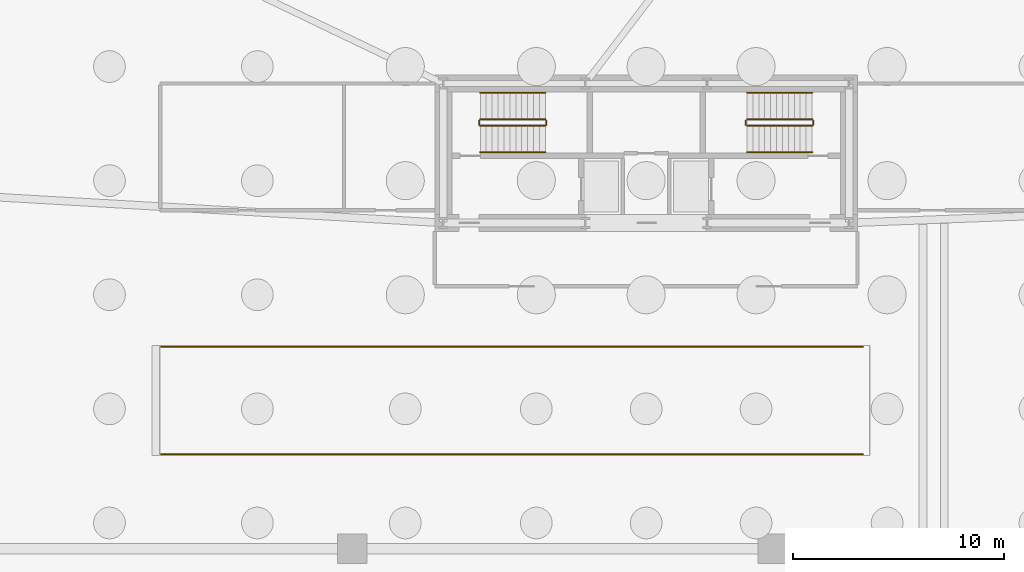
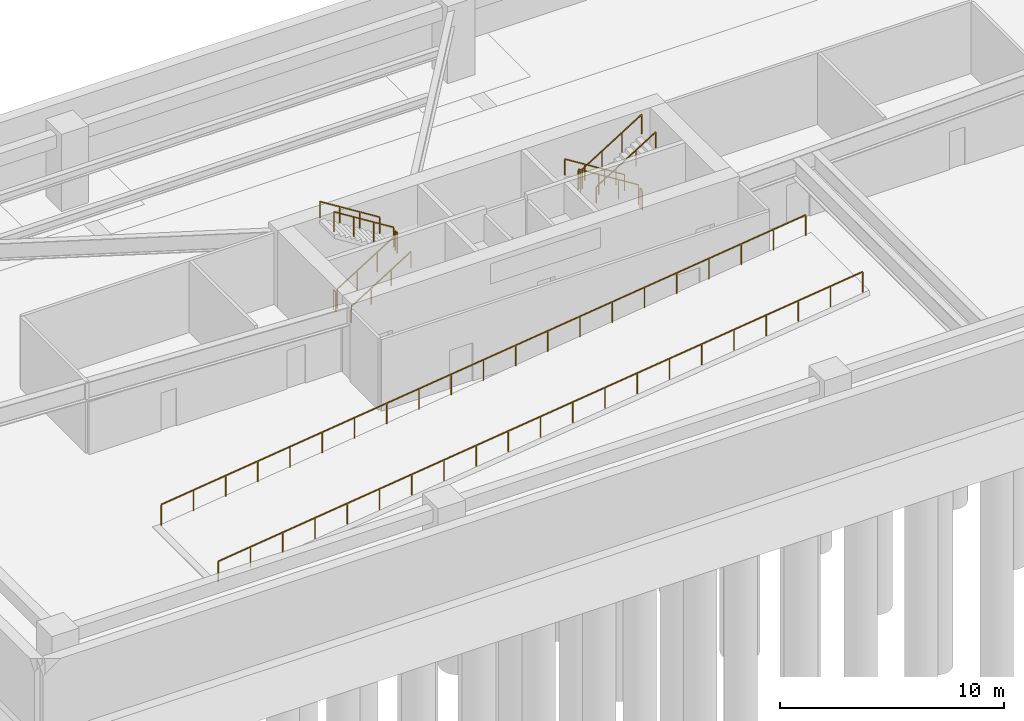
# One storey, part 7 of 8: 14 railings.
"""IFC4 building model written with IfcOpenShell, lengths in metres."""

from ifc_helpers import new_model, si_unit, direction, frame, origin, origin_2d, place, context, subcontext, project, spatial, rectangle, extrude, source, transform, mapped, material, type_object, type_shapes, element, save


model = new_model("IFC4")

# Units and contexts
model_context = context("Model", 3, precision=1e-05, world=origin(), true_north=direction((0.0, 1.0)))
body_context = subcontext(model_context, "Body", "Model", "MODEL_VIEW")
ifc_project = project(units=[si_unit("LENGTHUNIT", "METRE"), si_unit("AREAUNIT", "SQUARE_METRE"), si_unit("VOLUMEUNIT", "CUBIC_METRE"), si_unit("PLANEANGLEUNIT", "RADIAN"), si_unit("MASSUNIT", "GRAM", prefix="KILO")], contexts=[model_context])

# Site, building, storey
site_placement = place(None, origin())
site = spatial("IfcSite", under=ifc_project, at=site_placement, CompositionType="ELEMENT")
building_placement = place(site_placement, origin())
building = spatial("IfcBuilding", under=site, at=building_placement, Name="Astriad Promenade Condominiums", CompositionType="ELEMENT")
storey_placement = place(building_placement, frame((0.0, 0.0, -8.39990234375)))
storey = spatial("IfcBuildingStorey", under=building, at=storey_placement, Name="B02", CompositionType="ELEMENT", Elevation=-8.39990234375)

# Railings
ifc_material_1 = material(Name="Anodised Aluminium and Glass Terrace Guardrail", Category="aluminium")
railing_type_1 = type_object("IfcRailingType", Name="GRD-TERR-1150", PredefinedType="GUARDRAIL", material=ifc_material_1)
shared_shape_1 = source(origin(), body_context, "Body", "SweptSolid", [
    extrude(rectangle(XDim=0.048095703125, YDim=0.048095703125, at=origin_2d()), frame((0.0, 0.0, 1.1259765625), z_axis=(0.992278325478, 0.0, 0.124031144426), x_axis=(0.0, 1.0, 0.0)), (0.0, 0.0, 1.0), 8.36962890625),
    extrude(rectangle(XDim=0.048095703125, YDim=0.048095703125, at=origin_2d()), frame((8.304931640625, 0.0, 2.1640625), z_axis=(0.992278325478, 0.0, 0.124031144426), x_axis=(0.0, 1.0, 0.0)), (0.0, 0.0, 1.0), 8.36962890625),
    extrude(rectangle(XDim=0.048095703125, YDim=0.048095703125, at=origin_2d()), frame((16.60986328125, 0.0, 3.2021484375), z_axis=(0.992275183946, 0.0, 0.124056274835), x_axis=(0.0, 1.0, 0.0)), (0.0, 0.0, 1.0), 8.369873046875),
    extrude(rectangle(XDim=0.048095703125, YDim=0.048095703125, at=origin_2d()), frame((24.9150390625, 0.0, 4.240234375), z_axis=(0.992278325478, 0.0, 0.124031144426), x_axis=(0.0, 1.0, 0.0)), (0.0, 0.0, 1.0), 8.36962890625),
    extrude(rectangle(XDim=0.0419921875, YDim=0.0419921875, at=origin_2d()), origin(), (0.0, 0.0, 1.0), 1.101806640625),
    extrude(rectangle(XDim=0.0419921875, YDim=0.0419921875, at=origin_2d()), frame((1.660888671875, 0.0, 0.20751953125)), (0.0, 0.0, 1.0), 1.101806640625),
    extrude(rectangle(XDim=0.0419921875, YDim=0.0419921875, at=origin_2d()), frame((3.322021484375, 0.0, 0.415283203125)), (0.0, 0.0, 1.0), 1.101806640625),
    extrude(rectangle(XDim=0.0419921875, YDim=0.0419921875, at=origin_2d()), frame((4.98291015625, 0.0, 0.622802734375)), (0.0, 0.0, 1.0), 1.101806640625),
    extrude(rectangle(XDim=0.0419921875, YDim=0.0419921875, at=origin_2d()), frame((6.64404296875, 0.0, 0.83056640625)), (0.0, 0.0, 1.0), 1.101806640625),
    extrude(rectangle(XDim=0.0419921875, YDim=0.0419921875, at=origin_2d()), frame((8.304931640625, 0.0, 1.0380859375)), (0.0, 0.0, 1.0), 1.101806640625),
    extrude(rectangle(XDim=0.0419921875, YDim=0.0419921875, at=origin_2d()), frame((9.9658203125, 0.0, 1.24560546875)), (0.0, 0.0, 1.0), 1.101806640625),
    extrude(rectangle(XDim=0.0419921875, YDim=0.0419921875, at=origin_2d()), frame((11.626953125, 0.0, 1.453369140625)), (0.0, 0.0, 1.0), 1.101806640625),
    extrude(rectangle(XDim=0.0419921875, YDim=0.0419921875, at=origin_2d()), frame((13.287841796875, 0.0, 1.660888671875)), (0.0, 0.0, 1.0), 1.101806640625),
    extrude(rectangle(XDim=0.0419921875, YDim=0.0419921875, at=origin_2d()), frame((14.948974609375, 0.0, 1.86865234375)), (0.0, 0.0, 1.0), 1.101806640625),
    extrude(rectangle(XDim=0.0419921875, YDim=0.0419921875, at=origin_2d()), frame((16.60986328125, 0.0, 2.076171875)), (0.0, 0.0, 1.0), 1.101806640625),
    extrude(rectangle(XDim=0.0419921875, YDim=0.0419921875, at=origin_2d()), frame((18.27099609375, 0.0, 2.283935546875)), (0.0, 0.0, 1.0), 1.101806640625),
    extrude(rectangle(XDim=0.0419921875, YDim=0.0419921875, at=origin_2d()), frame((19.931884765625, 0.0, 2.491455078125)), (0.0, 0.0, 1.0), 1.101806640625),
    extrude(rectangle(XDim=0.0419921875, YDim=0.0419921875, at=origin_2d()), frame((21.593017578125, 0.0, 2.69921875)), (0.0, 0.0, 1.0), 1.101806640625),
    extrude(rectangle(XDim=0.0419921875, YDim=0.0419921875, at=origin_2d()), frame((23.25390625, 0.0, 2.90673828125)), (0.0, 0.0, 1.0), 1.101806640625),
    extrude(rectangle(XDim=0.0419921875, YDim=0.0419921875, at=origin_2d()), frame((24.9150390625, 0.0, 3.114501953125)), (0.0, 0.0, 1.0), 1.101806640625),
    extrude(rectangle(XDim=0.0419921875, YDim=0.0419921875, at=origin_2d()), frame((26.575927734375, 0.0, 3.322021484375)), (0.0, 0.0, 1.0), 1.101806640625),
    extrude(rectangle(XDim=0.0419921875, YDim=0.0419921875, at=origin_2d()), frame((28.237060546875, 0.0, 3.52978515625)), (0.0, 0.0, 1.0), 1.101806640625),
    extrude(rectangle(XDim=0.0419921875, YDim=0.0419921875, at=origin_2d()), frame((29.89794921875, 0.0, 3.7373046875)), (0.0, 0.0, 1.0), 1.101806640625),
    extrude(rectangle(XDim=0.0419921875, YDim=0.0419921875, at=origin_2d()), frame((31.55908203125, 0.0, 3.945068359375)), (0.0, 0.0, 1.0), 1.101806640625),
    extrude(rectangle(XDim=0.0419921875, YDim=0.0419921875, at=origin_2d()), frame((33.219970703125, 0.0, 4.152587890625)), (0.0, 0.0, 1.0), 1.101806640625),
])
type_shapes(railing_type_1, [shared_shape_1])
for number, where, name in (
    (1, (13.0400390625, 6.449951171875, 0.0048828125), "GRD-VR-1-S"),
    (2, (13.0400390625, 11.550048828125, 0.0048828125), "GRD-VR-1-N"),
):
    element("IfcRailing", number, at=place(storey_placement, frame(where)), inside=storey, type_object=railing_type_1, Name=name, PredefinedType="GUARDRAIL", context=body_context, shape_type="MappedRepresentation", body=[
        mapped(shared_shape_1, transform((0.0, 0.0, 0.0), scale=1.0)),
    ])
ifc_material_2 = material(Name="Painted Galvanised Steel Guardrail", Category="steel")
railing_type_2 = type_object("IfcRailingType", Name="GRD-STAIR-1100", PredefinedType="GUARDRAIL", material=ifc_material_2)
shared_shape_2 = source(origin(), body_context, "Body", "SweptSolid", [
    extrude(rectangle(XDim=0.048095703125, YDim=0.048095703125, at=origin_2d()), frame((0.0, 0.0, 1.076171875), z_axis=(0.847998304005, 0.0, 0.529998940003), x_axis=(0.0, 1.0, 0.0)), (0.0, 0.0, 1.0), 3.632080078125),
    extrude(rectangle(XDim=0.0419921875, YDim=0.0419921875, at=origin_2d()), origin(), (0.0, 0.0, 1.0), 1.052001953125),
    extrude(rectangle(XDim=0.0419921875, YDim=0.0419921875, at=origin_2d()), frame((1.026611328125, 0.0, 0.6416015625)), (0.0, 0.0, 1.0), 1.052001953125),
    extrude(rectangle(XDim=0.0419921875, YDim=0.0419921875, at=origin_2d()), frame((2.053466796875, 0.0, 1.283447265625)), (0.0, 0.0, 1.0), 1.052001953125),
    extrude(rectangle(XDim=0.0419921875, YDim=0.0419921875, at=origin_2d()), frame((3.080078125, 0.0, 1.925048828125)), (0.0, 0.0, 1.0), 1.052001953125),
])
for number, where, name in (
    (3, (28.14990234375, 22.0, 0.1748046875), "B02 ST-1 stair guard 1"),
    (4, (40.77001953125, 22.0, 2.27490234375), "B02 ST-2 stair guard 3"),
):
    element("IfcRailing", number, at=place(storey_placement, frame(where)), inside=storey, type_object=railing_type_2, Name=name, PredefinedType="GUARDRAIL", context=body_context, shape_type="MappedRepresentation", body=[
        mapped(shared_shape_2, transform((0.0, 0.0, 0.0), scale=1.0)),
    ])
shared_shape_3 = source(origin(), body_context, "Body", "SweptSolid", [
    extrude(rectangle(XDim=0.048095703125, YDim=0.048095703125, at=origin_2d()), frame((0.0, 0.0, 1.076171875), z_axis=(0.0, 1.0, 0.0), x_axis=(-1.0, 0.0, 0.0)), (0.0, 0.0, 1.0), 0.199951171875),
    extrude(rectangle(XDim=0.0419921875, YDim=0.0419921875, at=origin_2d()), origin(), (0.0, 0.0, 1.0), 1.052001953125),
    extrude(rectangle(XDim=0.0419921875, YDim=0.0419921875, at=origin_2d()), frame((0.0, 0.199951171875, 0.0)), (0.0, 0.0, 1.0), 1.052001953125),
])
for number, where, name in (
    (5, (31.280029296875, 22.050048828125, 2.099853515625), "B02 ST-1 stair guard 2"),
    (6, (28.10009765625, 22.050048828125, 0.0), "B02 ST-1 stair guard 4"),
):
    element("IfcRailing", number, at=place(storey_placement, frame(where)), inside=storey, type_object=railing_type_2, Name=name, PredefinedType="GUARDRAIL", context=body_context, shape_type="MappedRepresentation", body=[
        mapped(shared_shape_3, transform((0.0, 0.0, 0.0), scale=1.0)),
    ])
shared_shape_4 = source(origin(), body_context, "Body", "SweptSolid", [
    extrude(rectangle(XDim=0.048095703125, YDim=0.048095703125, at=origin_2d()), frame((0.0, 0.0, 1.076171875), z_axis=(-0.847998304005, 0.0, 0.529998940003), x_axis=(0.0, -1.0, 0.0)), (0.0, 0.0, 1.0), 3.632080078125),
    extrude(rectangle(XDim=0.0419921875, YDim=0.0419921875, at=origin_2d()), origin(), (0.0, 0.0, 1.0), 1.052001953125),
    extrude(rectangle(XDim=0.0419921875, YDim=0.0419921875, at=origin_2d()), frame((-1.026611328125, 0.0, 0.6416015625)), (0.0, 0.0, 1.0), 1.052001953125),
    extrude(rectangle(XDim=0.0419921875, YDim=0.0419921875, at=origin_2d()), frame((-2.053466796875, 0.0, 1.283447265625)), (0.0, 0.0, 1.0), 1.052001953125),
    extrude(rectangle(XDim=0.0419921875, YDim=0.0419921875, at=origin_2d()), frame((-3.080078125, 0.0, 1.925048828125)), (0.0, 0.0, 1.0), 1.052001953125),
])
for number, where, name in (
    (7, (31.22998046875, 22.300048828125, 2.27490234375), "B02 ST-1 stair guard 3"),
    (8, (43.85009765625, 22.300048828125, 0.1748046875), "B02 ST-2 stair guard 1"),
):
    element("IfcRailing", number, at=place(storey_placement, frame(where)), inside=storey, type_object=railing_type_2, Name=name, PredefinedType="GUARDRAIL", context=body_context, shape_type="MappedRepresentation", body=[
        mapped(shared_shape_4, transform((0.0, 0.0, 0.0), scale=1.0)),
    ])
ifc_material_3 = material(Name="Brushed Stainless Steel Handrail", Category="steel")
railing_type_3 = type_object("IfcRailingType", Name="HRL-STAIR-920", PredefinedType="HANDRAIL", material=ifc_material_3)
shared_shape_5 = source(origin(), body_context, "Body", "SweptSolid", [
    extrude(rectangle(XDim=0.048095703125, YDim=0.048095703125, at=origin_2d()), frame((0.0, 0.0, 0.8759765625), z_axis=(0.847998304005, 0.0, 0.529998940003), x_axis=(0.0, 1.0, 0.0)), (0.0, 0.0, 1.0), 3.632080078125),
    extrude(rectangle(XDim=0.0419921875, YDim=0.0419921875, at=origin_2d()), origin(), (0.0, 0.0, 1.0), 0.851806640625),
    extrude(rectangle(XDim=0.0419921875, YDim=0.0419921875, at=origin_2d()), frame((1.026611328125, 0.0, 0.6416015625)), (0.0, 0.0, 1.0), 0.851806640625),
    extrude(rectangle(XDim=0.0419921875, YDim=0.0419921875, at=origin_2d()), frame((2.053466796875, 0.0, 1.283447265625)), (0.0, 0.0, 1.0), 0.851806640625),
    extrude(rectangle(XDim=0.0419921875, YDim=0.0419921875, at=origin_2d()), frame((3.080078125, 0.0, 1.925048828125)), (0.0, 0.0, 1.0), 0.851806640625),
])
for number, where, name in (
    (9, (28.14990234375, 20.75, 0.1748046875), "B02 ST-1 stair handrail 1"),
    (10, (40.77001953125, 20.75, 2.27490234375), "B02 ST-2 stair handrail 2"),
):
    element("IfcRailing", number, at=place(storey_placement, frame(where)), inside=storey, type_object=railing_type_3, Name=name, PredefinedType="HANDRAIL", context=body_context, shape_type="MappedRepresentation", body=[
        mapped(shared_shape_5, transform((0.0, 0.0, 0.0), scale=1.0)),
    ])
shared_shape_6 = source(origin(), body_context, "Body", "SweptSolid", [
    extrude(rectangle(XDim=0.048095703125, YDim=0.048095703125, at=origin_2d()), frame((0.0, 0.0, 0.8759765625), z_axis=(-0.847998304005, 0.0, 0.529998940003), x_axis=(0.0, -1.0, 0.0)), (0.0, 0.0, 1.0), 3.632080078125),
    extrude(rectangle(XDim=0.0419921875, YDim=0.0419921875, at=origin_2d()), origin(), (0.0, 0.0, 1.0), 0.851806640625),
    extrude(rectangle(XDim=0.0419921875, YDim=0.0419921875, at=origin_2d()), frame((-1.026611328125, 0.0, 0.6416015625)), (0.0, 0.0, 1.0), 0.851806640625),
    extrude(rectangle(XDim=0.0419921875, YDim=0.0419921875, at=origin_2d()), frame((-2.053466796875, 0.0, 1.283447265625)), (0.0, 0.0, 1.0), 0.851806640625),
    extrude(rectangle(XDim=0.0419921875, YDim=0.0419921875, at=origin_2d()), frame((-3.080078125, 0.0, 1.925048828125)), (0.0, 0.0, 1.0), 0.851806640625),
])
type_shapes(railing_type_3, [shared_shape_5, shared_shape_6])
for number, where, name in (
    (11, (31.22998046875, 23.550048828125, 2.27490234375), "B02 ST-1 stair handrail 2"),
    (12, (43.85009765625, 23.550048828125, 0.1748046875), "B02 ST-2 stair handrail 1"),
):
    element("IfcRailing", number, at=place(storey_placement, frame(where)), inside=storey, type_object=railing_type_3, Name=name, PredefinedType="HANDRAIL", context=body_context, shape_type="MappedRepresentation", body=[
        mapped(shared_shape_6, transform((0.0, 0.0, 0.0), scale=1.0)),
    ])
shared_shape_7 = source(origin(), body_context, "Body", "SweptSolid", [
    extrude(rectangle(XDim=0.048095703125, YDim=0.048095703125, at=origin_2d()), frame((0.0, 0.0, 1.076171875), z_axis=(0.0, -1.0, 0.0), x_axis=(1.0, 0.0, 0.0)), (0.0, 0.0, 1.0), 0.199951171875),
    extrude(rectangle(XDim=0.0419921875, YDim=0.0419921875, at=origin_2d()), origin(), (0.0, 0.0, 1.0), 1.052001953125),
    extrude(rectangle(XDim=0.0419921875, YDim=0.0419921875, at=origin_2d()), frame((0.0, -0.199951171875, 0.0)), (0.0, 0.0, 1.0), 1.052001953125),
])
type_shapes(railing_type_2, [shared_shape_2, shared_shape_3, shared_shape_4, shared_shape_7])
for number, where, name in (
    (13, (40.719970703125, 22.25, 2.099853515625), "B02 ST-2 stair guard 2"),
    (14, (43.89990234375, 22.25, 0.0), "B02 ST-2 stair guard 4"),
):
    element("IfcRailing", number, at=place(storey_placement, frame(where)), inside=storey, type_object=railing_type_2, Name=name, PredefinedType="GUARDRAIL", context=body_context, shape_type="MappedRepresentation", body=[
        mapped(shared_shape_7, transform((0.0, 0.0, 0.0), scale=1.0)),
    ])

save(model, "model.ifc")
